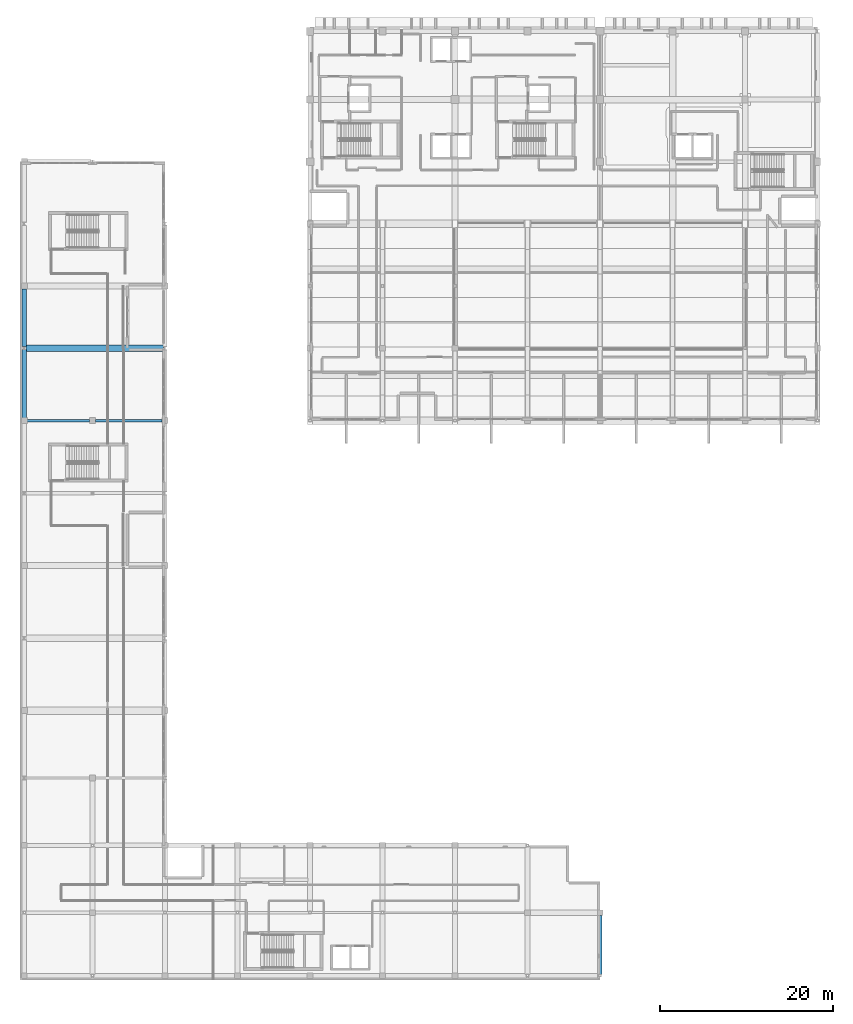
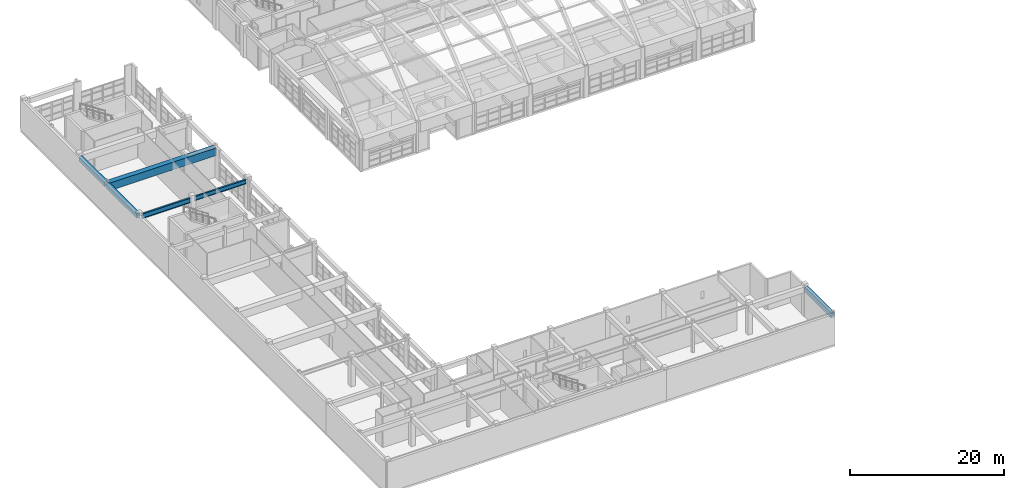
# One storey, part 20 of 103: 6 beams.
"""IFC4 building model written with IfcOpenShell, lengths in metres."""

from ifc_helpers import new_model, si_unit, direction, frame, origin, origin_2d, place, context, subcontext, project, spatial, rectangle, i_section, extrude, material, material_profile, profile_set, type_object, element, save


model = new_model("IFC4")

# Units and contexts
model_context = context("Model", 3, precision=1e-05, world=origin(), true_north=direction((0.0, 1.0)))
body_context = subcontext(model_context, "Body", "Model", "MODEL_VIEW")
ifc_project = project(units=[si_unit("LENGTHUNIT", "METRE"), si_unit("AREAUNIT", "SQUARE_METRE"), si_unit("VOLUMEUNIT", "CUBIC_METRE"), si_unit("PLANEANGLEUNIT", "RADIAN"), si_unit("MASSUNIT", "GRAM", prefix="KILO")], contexts=[model_context])

# Site, building, storey
site_placement = place(None, origin())
site = spatial("IfcSite", under=ifc_project, at=site_placement, CompositionType="ELEMENT")
building_placement = place(site_placement, origin())
building = spatial("IfcBuilding", under=site, at=building_placement, Name="Quendrovan Civic Courthouse", CompositionType="ELEMENT")
storey_placement = place(building_placement, frame((0.0, 0.0, 15.300048828125)))
storey = spatial("IfcBuildingStorey", under=building, at=storey_placement, Name="L04", CompositionType="ELEMENT", Elevation=15.300048828125)

# Beams
ifc_material_1 = material(Name="Post-tensioned concrete C50/60", Category="concrete")
ifc_material_profile_1 = material_profile(ifc_material_1, rectangle(XDim=0.75, YDim=1.199951171875, at=origin_2d()), Name="PT-GIRD-750x1200")
ifc_profile_set_1 = profile_set([ifc_material_profile_1], Name="Post-tensioned concrete C50/60")
beam_type_1 = type_object("IfcBeamType", Name="BM-PT1200", PredefinedType="BEAM", material=ifc_profile_set_1)
beam_1_placement = place(storey_placement, frame((0.6669921875, 73.199951171875, 4.06005859375), z_axis=(1.0, 0.0, 0.0), x_axis=(0.0, 1.0, 0.0)))
element("IfcBeam", 1, at=beam_1_placement, inside=storey, type_object=beam_type_1, Name="L04 Girder X0908", PredefinedType="BEAM", context=body_context, shape_type="SweptSolid", body=[
    extrude(rectangle(XDim=0.75, YDim=1.199951171875, at=origin_2d()), origin(), (0.0, 0.0, 1.0), 15.966064453125),
])
ifc_material_2 = material(Name="Concrete C40/50", Category="concrete")
ifc_material_profile_2 = material_profile(ifc_material_2, rectangle(XDim=0.5, YDim=0.75, at=origin_2d()), Name="RC-BM-500x750")
ifc_profile_set_2 = profile_set([ifc_material_profile_2], Name="Concrete C40/50")
beam_type_2 = type_object("IfcBeamType", Name="BM-RC750", PredefinedType="SPANDREL", material=ifc_profile_set_2)
beam_2_placement = place(storey_placement, frame((0.5, 65.1298828125, 4.284912109375), z_axis=(0.0, 1.0, 0.0), x_axis=(-1.0, 0.0, 0.0)))
element("IfcBeam", 2, at=beam_2_placement, inside=storey, type_object=beam_type_2, Name="L04 Girder Y0944", PredefinedType="SPANDREL", context=body_context, shape_type="SweptSolid", body=[
    extrude(rectangle(XDim=0.5, YDim=0.75, at=origin_2d()), origin(), (0.0, 0.0, 1.0), 7.904052734375),
])
beam_3_placement = place(storey_placement, frame((0.5, 73.365966796875, 4.284912109375), z_axis=(0.0, 1.0, 0.0), x_axis=(-1.0, 0.0, 0.0)))
element("IfcBeam", 3, at=beam_3_placement, inside=storey, type_object=beam_type_2, Name="L04 Girder Y0945", PredefinedType="SPANDREL", context=body_context, shape_type="SweptSolid", body=[
    extrude(rectangle(XDim=0.5, YDim=0.75, at=origin_2d()), origin(), (0.0, 0.0, 1.0), 6.7041015625),
])
beam_4_placement = place(storey_placement, frame((67.199951171875, 0.6298828125, 4.284912109375), z_axis=(0.0, 1.0, 0.0), x_axis=(-1.0, 0.0, 0.0)))
element("IfcBeam", 4, at=beam_4_placement, inside=storey, type_object=beam_type_2, Name="L04 Girder Y0976", PredefinedType="SPANDREL", context=body_context, shape_type="SweptSolid", body=[
    extrude(rectangle(XDim=0.5, YDim=0.75, at=origin_2d()), origin(), (0.0, 0.0, 1.0), 6.865234375),
])
ifc_material_3 = material(Name="Steel ASTM A992 Grade 50", Category="steel")
ifc_material_profile_3 = material_profile(ifc_material_3, i_section(OverallWidth=0.25390625, OverallDepth=0.68408203125, WebThickness=0.012451171875, FlangeThickness=0.018798828125, at=origin_2d()), Name="W27X94")
ifc_profile_set_3 = profile_set([ifc_material_profile_3], Name="Steel ASTM A992 Grade 50")
beam_type_3 = type_object("IfcBeamType", Name="BM-STL-W27", PredefinedType="BEAM", material=ifc_profile_set_3)
beam_5_placement = place(storey_placement, frame((8.72998046875, 64.800048828125, 4.31787109375), z_axis=(1.0, 0.0, 0.0), x_axis=(0.0, 1.0, 0.0)))
element("IfcBeam", 5, at=beam_5_placement, inside=storey, type_object=beam_type_3, Name="L04 Girder X0907", PredefinedType="BEAM", context=body_context, shape_type="SweptSolid", body=[
    extrude(i_section(OverallWidth=0.25390625, OverallDepth=0.68408203125, WebThickness=0.012451171875, FlangeThickness=0.018798828125, at=origin_2d()), origin(), (0.0, 0.0, 1.0), 7.739990234375),
])
ifc_material_profile_4 = material_profile(ifc_material_3, i_section(OverallWidth=0.26611328125, OverallDepth=0.758056640625, WebThickness=0.013916015625, FlangeThickness=0.019287109375, at=origin_2d()), Name="W30X108")
ifc_profile_set_4 = profile_set([ifc_material_profile_4], Name="Steel ASTM A992 Grade 50")
beam_type_4 = type_object("IfcBeamType", Name="BM-STL-W30", PredefinedType="BEAM", material=ifc_profile_set_4)
beam_6_placement = place(storey_placement, frame((0.830078125, 64.800048828125, 4.281005859375), z_axis=(1.0, 0.0, 0.0), x_axis=(0.0, 1.0, 0.0)))
element("IfcBeam", 6, at=beam_6_placement, inside=storey, type_object=beam_type_4, Name="L04 Girder X0906", PredefinedType="BEAM", context=body_context, shape_type="SweptSolid", body=[
    extrude(i_section(OverallWidth=0.26611328125, OverallDepth=0.758056640625, WebThickness=0.013916015625, FlangeThickness=0.019287109375, at=origin_2d()), origin(), (0.0, 0.0, 1.0), 7.239990234375),
])

save(model, "model.ifc")
